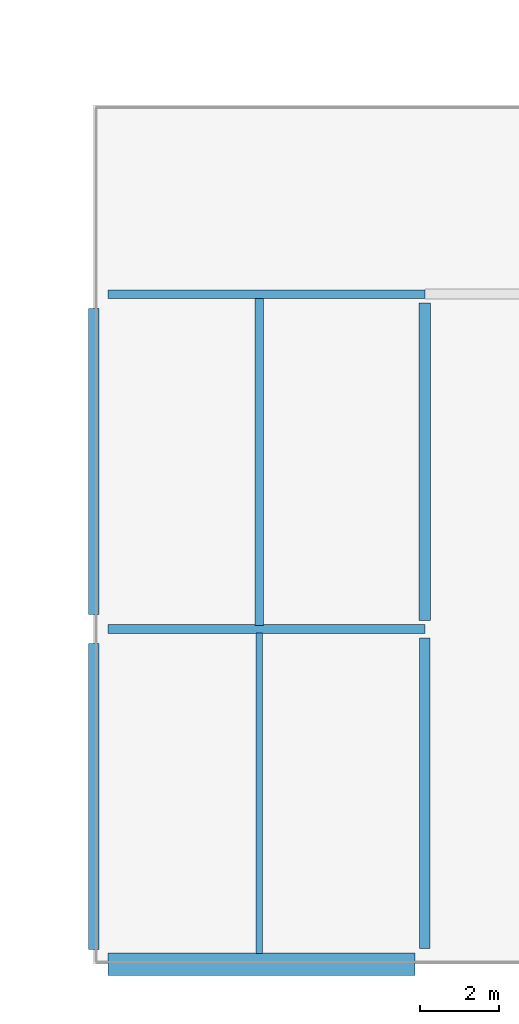
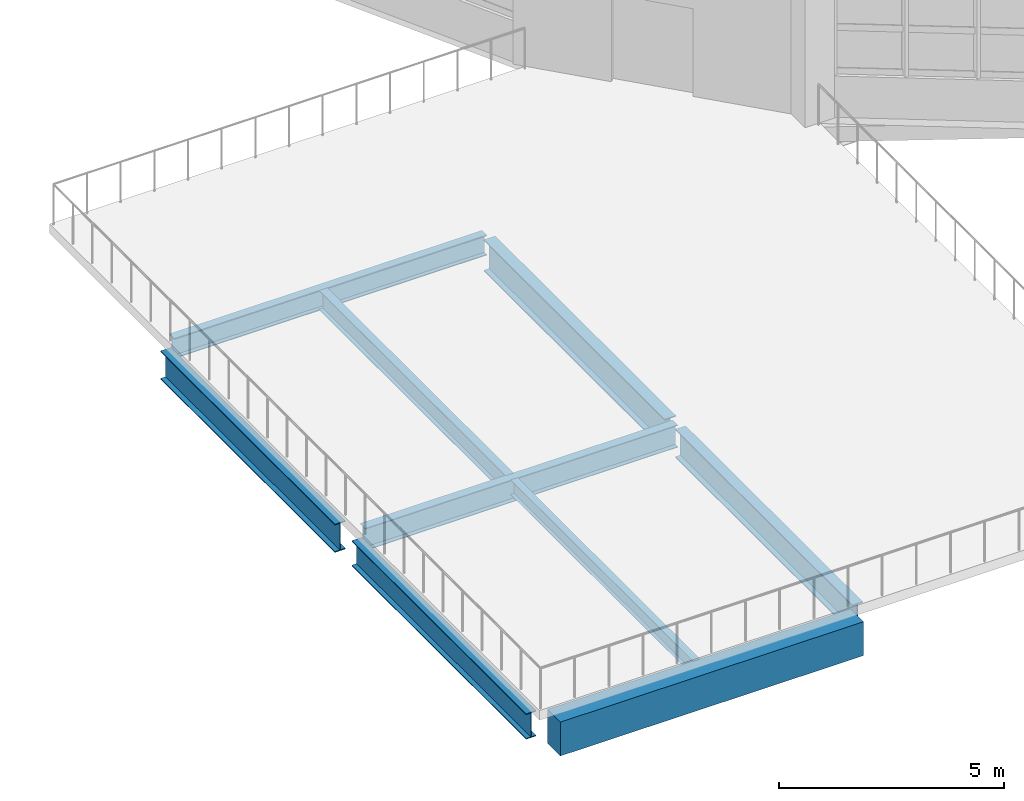
# One storey, part 5 of 77: 9 beams.
"""IFC4 building model written with IfcOpenShell, lengths in metres."""

from ifc_helpers import new_model, si_unit, direction, frame, origin, origin_2d, place, context, subcontext, project, spatial, rectangle, i_section, extrude, material, material_profile, profile_set, type_object, element, save


model = new_model("IFC4")

# Units and contexts
model_context = context("Model", 3, precision=1e-05, world=origin(), true_north=direction((0.0, 1.0)))
body_context = subcontext(model_context, "Body", "Model", "MODEL_VIEW")
ifc_project = project(units=[si_unit("LENGTHUNIT", "METRE"), si_unit("AREAUNIT", "SQUARE_METRE"), si_unit("VOLUMEUNIT", "CUBIC_METRE"), si_unit("PLANEANGLEUNIT", "RADIAN"), si_unit("MASSUNIT", "GRAM", prefix="KILO")], contexts=[model_context])

# Site, building, storey
site_placement = place(None, origin())
site = spatial("IfcSite", under=ifc_project, at=site_placement, CompositionType="ELEMENT")
building_placement = place(site_placement, origin())
building = spatial("IfcBuilding", under=site, at=building_placement, Name="Solvento Point Concert Hall", CompositionType="ELEMENT")
storey_placement = place(building_placement, frame((0.0, 0.0, 10.199951171875)))
storey = spatial("IfcBuildingStorey", under=building, at=storey_placement, Name="L02", CompositionType="ELEMENT", Elevation=10.199951171875)

# Beams
ifc_material_1 = material(Name="Structural Steel ASTM A992 Grade 50", Category="steel")
ifc_material_profile_1 = material_profile(ifc_material_1, i_section(OverallWidth=0.20947265625, OverallDepth=0.532958984375, WebThickness=0.01025390625, FlangeThickness=0.015625, at=origin_2d()), Name="W21X62")
ifc_profile_set_1 = profile_set([ifc_material_profile_1], Name="Structural Steel ASTM A992 Grade 50")
beam_type_1 = type_object("IfcBeamType", Name="Beam_W21X62", PredefinedType="BEAM", material=ifc_profile_set_1)
beam_1_placement = place(storey_placement, frame((28.199951171875, 8.59912109375, -0.535400390625), z_axis=(0.0, 1.0, 0.0), x_axis=(-1.0, 0.0, 0.0)))
element("IfcBeam", 1, at=beam_1_placement, inside=storey, type_object=beam_type_1, Name="Secondary floor joist B-25 L02", PredefinedType="BEAM", context=body_context, shape_type="SweptSolid", body=[
    extrude(i_section(OverallWidth=0.20947265625, OverallDepth=0.532958984375, WebThickness=0.01025390625, FlangeThickness=0.015625, at=origin_2d()), origin(), (0.0, 0.0, 1.0), 8.308837890625),
])
ifc_material_2 = material(Name="Structural Steel ASTM A992 Grade 50", Category="steel")
ifc_material_profile_2 = material_profile(ifc_material_2, i_section(OverallWidth=0.214111328125, OverallDepth=0.549072265625, WebThickness=0.0146484375, FlangeThickness=0.023681640625, at=origin_2d()), Name="W21X93")
ifc_profile_set_2 = profile_set([ifc_material_profile_2], Name="Structural Steel ASTM A992 Grade 50")
beam_type_2 = type_object("IfcBeamType", Name="Beam_W21X93", PredefinedType="BEAM", material=ifc_profile_set_2)
beam_2_placement = place(storey_placement, frame((24.368896484375, 17.0, -0.54345703125), z_axis=(1.0, 0.0, 0.0), x_axis=(0.0, 1.0, 0.0)))
element("IfcBeam", 2, at=beam_2_placement, inside=storey, type_object=beam_type_2, Name="Primary girder B-48 L02", PredefinedType="BEAM", context=body_context, shape_type="SweptSolid", body=[
    extrude(i_section(OverallWidth=0.214111328125, OverallDepth=0.549072265625, WebThickness=0.0146484375, FlangeThickness=0.023681640625, at=origin_2d()), origin(), (0.0, 0.0, 1.0), 8.031005859375),
])
ifc_material_3 = material(Name="Structural Steel ASTM A992 Grade 50", Category="steel")
ifc_material_profile_3 = material_profile(ifc_material_3, i_section(OverallWidth=0.228515625, OverallDepth=0.60791015625, WebThickness=0.01123046875, FlangeThickness=0.017333984375, at=origin_2d()), Name="W24X76")
ifc_profile_set_3 = profile_set([ifc_material_profile_3], Name="Structural Steel ASTM A992 Grade 50")
beam_type_3 = type_object("IfcBeamType", Name="Beam_W24X76", PredefinedType="BEAM", material=ifc_profile_set_3)
beam_3_placement = place(storey_placement, frame((24.368896484375, 8.5, -0.572998046875), z_axis=(1.0, 0.0, 0.0), x_axis=(0.0, 1.0, 0.0)))
element("IfcBeam", 3, at=beam_3_placement, inside=storey, type_object=beam_type_3, Name="Primary girder B-42 L02", PredefinedType="BEAM", context=body_context, shape_type="SweptSolid", body=[
    extrude(i_section(OverallWidth=0.228515625, OverallDepth=0.60791015625, WebThickness=0.01123046875, FlangeThickness=0.017333984375, at=origin_2d()), origin(), (0.0, 0.0, 1.0), 8.031005859375),
])
ifc_material_4 = material(Name="Concrete C35/45", Category="concrete")
ifc_material_profile_4 = material_profile(ifc_material_4, rectangle(XDim=0.580078125, YDim=0.919921875, at=origin_2d()), Name="RC-BM-580X920")
ifc_profile_set_4 = profile_set([ifc_material_profile_4], Name="Concrete C35/45")
beam_type_4 = type_object("IfcBeamType", Name="Girder_RC_580x920", PredefinedType="USERDEFINED", material=ifc_profile_set_4)
beam_4_placement = place(storey_placement, frame((24.368896484375, 0.0, -0.72900390625), z_axis=(1.0, 0.0, 0.0), x_axis=(0.0, 1.0, 0.0)))
element("IfcBeam", 4, at=beam_4_placement, inside=storey, type_object=beam_type_4, Name="Primary girder B-95 L02", ObjectType="GIRDER", PredefinedType="USERDEFINED", context=body_context, shape_type="SweptSolid", body=[
    extrude(rectangle(XDim=0.580078125, YDim=0.919921875, at=origin_2d()), origin(), (0.0, 0.0, 1.0), 7.787109375),
])
ifc_material_5 = material(Name="Structural Steel ASTM A992 Grade 50", Category="steel")
ifc_material_profile_5 = material_profile(ifc_material_5, i_section(OverallWidth=0.256103515625, OverallDepth=0.693115234375, WebThickness=0.014404296875, FlangeThickness=0.023681640625, at=origin_2d()), Name="W27X114")
ifc_profile_set_5 = profile_set([ifc_material_profile_5], Name="Structural Steel ASTM A992 Grade 50")
beam_type_5 = type_object("IfcBeamType", Name="Girder_W27X114", PredefinedType="USERDEFINED", material=ifc_profile_set_5)
beam_5_placement = place(storey_placement, frame((24.0, 0.368896484375, -0.615478515625), z_axis=(0.0, 1.0, 0.0), x_axis=(-1.0, 0.0, 0.0)))
element("IfcBeam", 5, at=beam_5_placement, inside=storey, type_object=beam_type_5, Name="Primary girder B-23 L02", ObjectType="GIRDER", PredefinedType="USERDEFINED", context=body_context, shape_type="SweptSolid", body=[
    extrude(i_section(OverallWidth=0.256103515625, OverallDepth=0.693115234375, WebThickness=0.014404296875, FlangeThickness=0.023681640625, at=origin_2d()), origin(), (0.0, 0.0, 1.0), 7.76220703125),
])
ifc_material_6 = material(Name="Structural Steel ASTM A992 Grade 50", Category="steel")
ifc_material_profile_6 = material_profile(ifc_material_6, i_section(OverallWidth=0.26806640625, OverallDepth=0.77001953125, WebThickness=0.015625, FlangeThickness=0.025390625, at=origin_2d()), Name="W30X132")
ifc_profile_set_6 = profile_set([ifc_material_profile_6], Name="Structural Steel ASTM A992 Grade 50")
beam_type_6 = type_object("IfcBeamType", Name="Girder_W30X132", PredefinedType="USERDEFINED", material=ifc_profile_set_6)
beam_6_placement = place(storey_placement, frame((24.0, 8.868896484375, -0.654052734375), z_axis=(0.0, 1.0, 0.0), x_axis=(-1.0, 0.0, 0.0)))
element("IfcBeam", 6, at=beam_6_placement, inside=storey, type_object=beam_type_6, Name="Primary girder B-68 L02", ObjectType="GIRDER", PredefinedType="USERDEFINED", context=body_context, shape_type="SweptSolid", body=[
    extrude(i_section(OverallWidth=0.26806640625, OverallDepth=0.77001953125, WebThickness=0.015625, FlangeThickness=0.025390625, at=origin_2d()), origin(), (0.0, 0.0, 1.0), 7.76220703125),
])
beam_7_placement = place(storey_placement, frame((32.39990234375, 0.39404296875, -0.654052734375), z_axis=(0.0, 1.0, 0.0), x_axis=(-1.0, 0.0, 0.0)))
element("IfcBeam", 7, at=beam_7_placement, inside=storey, type_object=beam_type_6, Name="Primary girder B-68 L02", ObjectType="GIRDER", PredefinedType="USERDEFINED", context=body_context, shape_type="SweptSolid", body=[
    extrude(i_section(OverallWidth=0.26806640625, OverallDepth=0.77001953125, WebThickness=0.015625, FlangeThickness=0.025390625, at=origin_2d()), origin(), (0.0, 0.0, 1.0), 7.88037109375),
])
ifc_material_7 = material(Name="Structural Steel ASTM A992 Grade 50", Category="steel")
ifc_material_profile_7 = material_profile(ifc_material_7, i_section(OverallWidth=0.2919921875, OverallDepth=0.85888671875, WebThickness=0.01708984375, FlangeThickness=0.031005859375, at=origin_2d()), Name="W33X169")
ifc_profile_set_7 = profile_set([ifc_material_profile_7], Name="Structural Steel ASTM A992 Grade 50")
beam_type_7 = type_object("IfcBeamType", Name="Girder_W33X169", PredefinedType="USERDEFINED", material=ifc_profile_set_7)
beam_8_placement = place(storey_placement, frame((32.39990234375, 8.7255859375, -0.698486328125), z_axis=(0.0, 1.0, 0.0), x_axis=(-1.0, 0.0, 0.0)))
element("IfcBeam", 8, at=beam_8_placement, inside=storey, type_object=beam_type_7, Name="Primary girder B-33 L02", ObjectType="GIRDER", PredefinedType="USERDEFINED", context=body_context, shape_type="SweptSolid", body=[
    extrude(i_section(OverallWidth=0.2919921875, OverallDepth=0.85888671875, WebThickness=0.01708984375, FlangeThickness=0.031005859375, at=origin_2d()), origin(), (0.0, 0.0, 1.0), 8.048828125),
])
ifc_material_8 = material(Name="Structural Steel ASTM A992 Grade 50", Category="steel")
ifc_material_profile_8 = material_profile(ifc_material_8, i_section(OverallWidth=0.177490234375, OverallDepth=0.403076171875, WebThickness=0.007568359375, FlangeThickness=0.010986328125, at=origin_2d()), Name="W16X36")
ifc_profile_set_8 = profile_set([ifc_material_profile_8], Name="Structural Steel ASTM A992 Grade 50")
beam_type_8 = type_object("IfcBeamType", Name="Joist_W16X36", PredefinedType="JOIST", material=ifc_profile_set_8)
beam_9_placement = place(storey_placement, frame((28.199951171875, 0.27490234375, -0.470458984375), z_axis=(0.0, 1.0, 0.0), x_axis=(-1.0, 0.0, 0.0)))
element("IfcBeam", 9, at=beam_9_placement, inside=storey, type_object=beam_type_8, Name="Secondary floor joist B-30 L02", PredefinedType="JOIST", context=body_context, shape_type="SweptSolid", body=[
    extrude(i_section(OverallWidth=0.177490234375, OverallDepth=0.403076171875, WebThickness=0.007568359375, FlangeThickness=0.010986328125, at=origin_2d()), origin(), (0.0, 0.0, 1.0), 8.1259765625),
])

save(model, "model.ifc")
